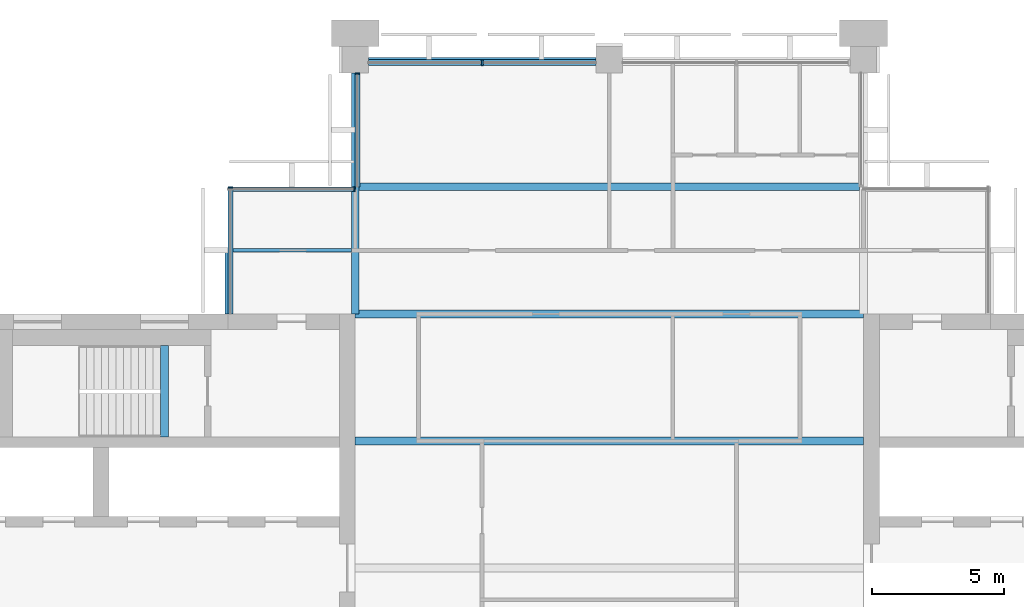
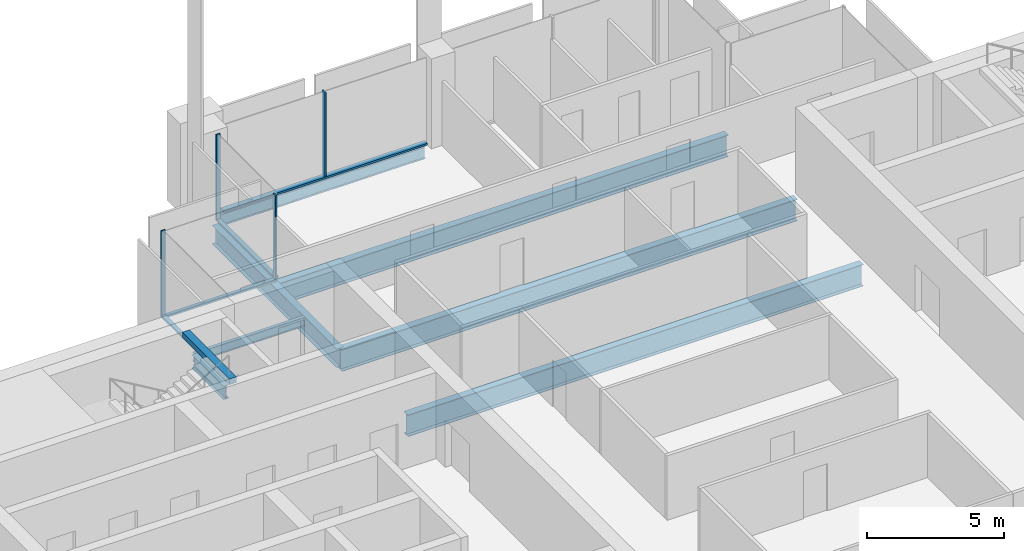
# One storey, part 5 of 13: 8 beams, 8 members, 4 elements without a shape of their own.
"""IFC4 building model written with IfcOpenShell, lengths in metres."""

from ifc_helpers import new_model, si_unit, direction, frame, origin, origin_2d, place, context, subcontext, project, spatial, rectangle, i_section, extrude, material, material_profile, profile_set, type_object, element, aggregate, save


model = new_model("IFC4")

# Units and contexts
model_context = context("Model", 3, precision=1e-05, world=origin(), true_north=direction((0.0, 1.0)))
body_context = subcontext(model_context, "Body", "Model", "MODEL_VIEW")
ifc_project = project(units=[si_unit("LENGTHUNIT", "METRE"), si_unit("AREAUNIT", "SQUARE_METRE"), si_unit("VOLUMEUNIT", "CUBIC_METRE"), si_unit("PLANEANGLEUNIT", "RADIAN"), si_unit("MASSUNIT", "GRAM", prefix="KILO")], contexts=[model_context])

# Site, building, storey
site_placement = place(None, origin())
site = spatial("IfcSite", under=ifc_project, at=site_placement, CompositionType="ELEMENT")
building_placement = place(site_placement, origin())
building = spatial("IfcBuilding", under=site, at=building_placement, Name="Baori Bourse Tower", CompositionType="ELEMENT")
storey_placement = place(building_placement, frame((0.0, 0.0, 318.300048828125)))
storey = spatial("IfcBuildingStorey", under=building, at=storey_placement, Name="L70", CompositionType="ELEMENT", Elevation=318.300048828125)

# Curtain wall, member
ifc_material_1 = material(Name="Pale anodised aluminium", Category="aluminium")
curtain_wall_type_1 = type_object("IfcCurtainWallType", Name="CW2 Curtain wall", PredefinedType="NOTDEFINED", material=ifc_material_1)
curtain_wall_1_placement = place(storey_placement, origin())
curtain_wall_1 = element("IfcCurtainWall", 1, at=curtain_wall_1_placement, inside=storey, type_object=curtain_wall_type_1, Name="Curtain wall CW2 L70 5", PredefinedType="NOTDEFINED")
ifc_material_2 = material(Name="Pale anodised aluminium", Category="aluminium")
ifc_material_profile_1 = material_profile(ifc_material_2, rectangle(XDim=0.179931640625, YDim=0.054931640625, at=origin_2d()), Name="Mullion 55x180")
ifc_profile_set_1 = profile_set([ifc_material_profile_1], Name="Pale anodised aluminium")
member_type_1 = type_object("IfcMemberType", Name="CW2 Curtain wall mullion", PredefinedType="MULLION", material=ifc_profile_set_1)
member_1_placement = place(storey_placement, frame((19.2900390625, 47.472412109375, 0.070068359375), z_axis=(0.0, 0.0, 1.0), x_axis=(1.0, 0.0, 0.0)))
member_1 = element("IfcMember", 2, at=member_1_placement, type_object=member_type_1, Name="Curtain wall CW2 mullion", PredefinedType="MULLION", context=body_context, shape_type="SweptSolid", body=[
    extrude(rectangle(XDim=0.179931640625, YDim=0.054931640625, at=origin_2d()), origin(), (0.0, 0.0, 1.0), 3.769775390625),
])

curtain_wall_2_placement = place(storey_placement, origin())
curtain_wall_2 = element("IfcCurtainWall", 3, at=curtain_wall_2_placement, inside=storey, type_object=curtain_wall_type_1, Name="Curtain wall CW2 L70 6", PredefinedType="NOTDEFINED")
member_2_placement = place(storey_placement, frame((19.172607421875, 43.110107421875, 0.070068359375), z_axis=(0.0, 0.0, 1.0), x_axis=(0.0, -1.0, 0.0)))
member_2 = element("IfcMember", 4, at=member_2_placement, type_object=member_type_1, Name="Curtain wall CW2 mullion", PredefinedType="MULLION", context=body_context, shape_type="SweptSolid", body=[
    extrude(rectangle(XDim=0.179931640625, YDim=0.054931640625, at=origin_2d()), origin(), (0.0, 0.0, 1.0), 3.769775390625),
])

curtain_wall_3_placement = place(storey_placement, origin())
curtain_wall_3 = element("IfcCurtainWall", 5, at=curtain_wall_3_placement, inside=storey, type_object=curtain_wall_type_1, Name="Curtain wall CW2 L70 7", PredefinedType="NOTDEFINED")
member_3_placement = place(storey_placement, frame((14.489990234375, 43.172607421875, 0.070068359375), z_axis=(0.0, 0.0, 1.0), x_axis=(1.0, 0.0, 0.0)))
member_3 = element("IfcMember", 6, at=member_3_placement, type_object=member_type_1, Name="Curtain wall CW2 mullion", PredefinedType="MULLION", context=body_context, shape_type="SweptSolid", body=[
    extrude(rectangle(XDim=0.179931640625, YDim=0.054931640625, at=origin_2d()), origin(), (0.0, 0.0, 1.0), 3.769775390625),
])

# Member
ifc_material_3 = material(Name="Pale anodised aluminium", Category="aluminium")
ifc_material_profile_2 = material_profile(ifc_material_3, rectangle(XDim=0.179931640625, YDim=0.070068359375, at=origin_2d()), Name="Transom 70x180")
ifc_profile_set_2 = profile_set([ifc_material_profile_2], Name="Pale anodised aluminium")
member_type_2 = type_object("IfcMemberType", Name="CW2 Curtain wall transom", PredefinedType="USERDEFINED", material=ifc_profile_set_2)
member_4_placement = place(storey_placement, frame((19.2900390625, 47.5, 0.034912109375), z_axis=(0.0, -1.0, 0.0), x_axis=(1.0, 0.0, 0.0)))
member_4 = element("IfcMember", 7, at=member_4_placement, type_object=member_type_2, Name="Curtain wall CW2 sill rail", ObjectType="TRANSOM", PredefinedType="USERDEFINED", context=body_context, shape_type="SweptSolid", body=[
    extrude(rectangle(XDim=0.179931640625, YDim=0.070068359375, at=origin_2d()), origin(), (0.0, 0.0, 1.0), 4.300048828125),
])

aggregate(curtain_wall_1, [member_4, member_1])

member_5_placement = place(storey_placement, frame((19.199951171875, 43.110107421875, 0.034912109375), z_axis=(-1.0, 0.0, 0.0), x_axis=(0.0, -1.0, 0.0)))
member_5 = element("IfcMember", 8, at=member_5_placement, type_object=member_type_2, Name="Curtain wall CW2 sill rail", ObjectType="TRANSOM", PredefinedType="USERDEFINED", context=body_context, shape_type="SweptSolid", body=[
    extrude(rectangle(XDim=0.179931640625, YDim=0.070068359375, at=origin_2d()), origin(), (0.0, 0.0, 1.0), 4.800048828125),
])

aggregate(curtain_wall_2, [member_5, member_2])

member_6_placement = place(storey_placement, frame((14.489990234375, 43.199951171875, 0.034912109375), z_axis=(0.0, -1.0, 0.0), x_axis=(1.0, 0.0, 0.0)))
member_6 = element("IfcMember", 9, at=member_6_placement, type_object=member_type_2, Name="Curtain wall CW2 sill rail", ObjectType="TRANSOM", PredefinedType="USERDEFINED", context=body_context, shape_type="SweptSolid", body=[
    extrude(rectangle(XDim=0.179931640625, YDim=0.070068359375, at=origin_2d()), origin(), (0.0, 0.0, 1.0), 4.800048828125),
])

aggregate(curtain_wall_3, [member_6, member_3])

# Curtain wall, members
ifc_material_4 = material(Name="Pale anodised aluminium", Category="aluminium")
curtain_wall_type_2 = type_object("IfcCurtainWallType", Name="CW5 Curtain wall", PredefinedType="NOTDEFINED", material=ifc_material_4)
curtain_wall_4_placement = place(storey_placement, origin())
curtain_wall_4 = element("IfcCurtainWall", 10, at=curtain_wall_4_placement, inside=storey, type_object=curtain_wall_type_2, Name="Curtain wall CW5 L70 4", PredefinedType="NOTDEFINED")
ifc_material_5 = material(Name="Pale anodised aluminium", Category="aluminium")
ifc_material_profile_3 = material_profile(ifc_material_5, rectangle(XDim=0.219970703125, YDim=0.06494140625, at=origin_2d()), Name="Mullion 65x220")
ifc_profile_set_3 = profile_set([ifc_material_profile_3], Name="Pale anodised aluminium")
member_type_3 = type_object("IfcMemberType", Name="CW5 Curtain wall mullion", PredefinedType="MULLION", material=ifc_profile_set_3)
member_7_placement = place(storey_placement, frame((24.0, 47.889892578125, 0.0849609375), z_axis=(0.0, 0.0, 1.0), x_axis=(0.0, -1.0, 0.0)))
member_7 = element("IfcMember", 11, at=member_7_placement, type_object=member_type_3, Name="Curtain wall CW5 mullion", PredefinedType="MULLION", context=body_context, shape_type="SweptSolid", body=[
    extrude(rectangle(XDim=0.219970703125, YDim=0.06494140625, at=origin_2d()), origin(), (0.0, 0.0, 1.0), 3.7548828125),
])
ifc_material_6 = material(Name="Pale anodised aluminium", Category="aluminium")
ifc_material_profile_4 = material_profile(ifc_material_6, rectangle(XDim=0.219970703125, YDim=0.0849609375, at=origin_2d()), Name="Transom 85x220")
ifc_profile_set_4 = profile_set([ifc_material_profile_4], Name="Pale anodised aluminium")
member_type_4 = type_object("IfcMemberType", Name="CW5 Curtain wall transom", PredefinedType="USERDEFINED", material=ifc_profile_set_4)
member_8_placement = place(storey_placement, frame((28.300048828125, 47.889892578125, 0.04248046875), z_axis=(-1.0, 0.0, 0.0), x_axis=(0.0, -1.0, 0.0)))
member_8 = element("IfcMember", 12, at=member_8_placement, type_object=member_type_4, Name="Curtain wall CW5 sill rail", ObjectType="TRANSOM", PredefinedType="USERDEFINED", context=body_context, shape_type="SweptSolid", body=[
    extrude(rectangle(XDim=0.219970703125, YDim=0.0849609375, at=origin_2d()), origin(), (0.0, 0.0, 1.0), 8.60009765625),
])
aggregate(curtain_wall_4, [member_8, member_7])

# Beams
ifc_material_7 = material(Name="Steel A992 Gr 50", Category="steel")
ifc_material_profile_5 = material_profile(ifc_material_7, i_section(OverallWidth=0.227783203125, OverallDepth=0.60205078125, WebThickness=0.010498046875, FlangeThickness=0.014892578125, at=origin_2d()), Name="W24x68")
ifc_profile_set_5 = profile_set([ifc_material_profile_5], Name="Steel A992 Gr 50")
beam_type_1 = type_object("IfcBeamType", Name="Core bracket W24x68", PredefinedType="BEAM", material=ifc_profile_set_5)
beam_1_placement = place(storey_placement, frame((14.39990234375, 38.39990234375, -0.4609375), z_axis=(0.0, 1.0, 0.0), x_axis=(-1.0, 0.0, 0.0)))
element("IfcBeam", 13, at=beam_1_placement, inside=storey, type_object=beam_type_1, Name="Core bracket L70", PredefinedType="BEAM", context=body_context, shape_type="SweptSolid", body=[
    extrude(i_section(OverallWidth=0.227783203125, OverallDepth=0.60205078125, WebThickness=0.010498046875, FlangeThickness=0.014892578125, at=origin_2d()), origin(), (0.0, 0.0, 1.0), 2.329833984375),
])
ifc_material_8 = material(Name="Steel A992 Gr 50", Category="steel")
ifc_material_profile_6 = material_profile(ifc_material_8, i_section(OverallWidth=0.1650390625, OverallDepth=0.52587890625, WebThickness=0.0087890625, FlangeThickness=0.011474609375, at=origin_2d()), Name="W21x44")
ifc_profile_set_6 = profile_set([ifc_material_profile_6], Name="Steel A992 Gr 50")
beam_type_2 = type_object("IfcBeamType", Name="Edge beam W21x44", PredefinedType="BEAM", material=ifc_profile_set_6)
beam_2_placement = place(storey_placement, frame((19.699951171875, 48.0, -0.4228515625), z_axis=(1.0, 0.0, 0.0), x_axis=(0.0, 1.0, 0.0)))
element("IfcBeam", 14, at=beam_2_placement, inside=storey, type_object=beam_type_2, Name="Edge beam L70", PredefinedType="BEAM", context=body_context, shape_type="SweptSolid", body=[
    extrude(i_section(OverallWidth=0.1650390625, OverallDepth=0.52587890625, WebThickness=0.0087890625, FlangeThickness=0.011474609375, at=origin_2d()), origin(), (0.0, 0.0, 1.0), 8.60009765625),
])
ifc_material_9 = material(Name="Steel A992 Gr 50", Category="steel")
ifc_material_profile_7 = material_profile(ifc_material_9, i_section(OverallWidth=0.2998046875, OverallDepth=0.97021484375, WebThickness=0.01611328125, FlangeThickness=0.02099609375, at=origin_2d()), Name="W40x149")
ifc_profile_set_7 = profile_set([ifc_material_profile_7], Name="Steel A992 Gr 50")
beam_type_3 = type_object("IfcBeamType", Name="Floor beam W40x149", PredefinedType="BEAM", material=ifc_profile_set_7)
for number, where, z_axis, x_axis, name in (
    (15, (19.199951171875, 33.60009765625, -0.645263671875), (1.0, 0.0, 0.0), (0.0, 1.0, 0.0), "Floor beam L70"),
    (16, (19.199951171875, 38.39990234375, -0.645263671875), (1.0, 0.0, 0.0), (0.0, 1.0, 0.0), "Floor beam L70"),
):
    element("IfcBeam", number, at=place(storey_placement, frame(where, z_axis=z_axis, x_axis=x_axis)), inside=storey, type_object=beam_type_3, Name=name, PredefinedType="BEAM", context=body_context, shape_type="SweptSolid", body=[
        extrude(i_section(OverallWidth=0.2998046875, OverallDepth=0.97021484375, WebThickness=0.01611328125, FlangeThickness=0.02099609375, at=origin_2d()), origin(), (0.0, 0.0, 1.0), 19.199951171875),
    ])
beam_3_placement = place(storey_placement, frame((19.345947265625, 43.199951171875, -0.645263671875), z_axis=(1.0, 0.0, 0.0), x_axis=(0.0, 1.0, 0.0)))
element("IfcBeam", 17, at=beam_3_placement, inside=storey, type_object=beam_type_3, Name="Floor beam L70", PredefinedType="BEAM", context=body_context, shape_type="SweptSolid", body=[
    extrude(i_section(OverallWidth=0.2998046875, OverallDepth=0.97021484375, WebThickness=0.01611328125, FlangeThickness=0.02099609375, at=origin_2d()), origin(), (0.0, 0.0, 1.0), 18.907958984375),
])
ifc_material_10 = material(Name="Steel A992 Gr 50", Category="steel")
ifc_material_profile_8 = material_profile(ifc_material_10, i_section(OverallWidth=0.2919921875, OverallDepth=0.835693359375, WebThickness=0.013916015625, FlangeThickness=0.018798828125, at=origin_2d()), Name="W33x118")
ifc_profile_set_8 = profile_set([ifc_material_profile_8], Name="Steel A992 Gr 50")
beam_type_4 = type_object("IfcBeamType", Name="Girder W33x118", PredefinedType="BEAM", material=ifc_profile_set_8)
beam_4_placement = place(storey_placement, frame((19.199951171875, 38.39990234375, -0.577880859375), z_axis=(0.0, 1.0, 0.0), x_axis=(-1.0, 0.0, 0.0)))
element("IfcBeam", 18, at=beam_4_placement, inside=storey, type_object=beam_type_4, Name="Girder L70", PredefinedType="BEAM", context=body_context, shape_type="SweptSolid", body=[
    extrude(i_section(OverallWidth=0.2919921875, OverallDepth=0.835693359375, WebThickness=0.013916015625, FlangeThickness=0.018798828125, at=origin_2d()), origin(), (0.0, 0.0, 1.0), 9.10009765625),
])
ifc_material_11 = material(Name="Concrete f'c 50 MPa", Category="concrete")
ifc_material_profile_9 = material_profile(ifc_material_11, rectangle(XDim=0.300048828125, YDim=0.25, at=origin_2d()), Name="RC 300x250")
ifc_profile_set_9 = profile_set([ifc_material_profile_9], Name="Concrete f'c 50 MPa")
beam_type_5 = type_object("IfcBeamType", Name="Stair nib beam RC 300x250", PredefinedType="BEAM", material=ifc_profile_set_9)
beam_5_placement = place(storey_placement, frame((12.0, 33.75, 3.71484375), z_axis=(0.0, 1.0, 0.0), x_axis=(-1.0, 0.0, 0.0)))
element("IfcBeam", 19, at=beam_5_placement, inside=storey, type_object=beam_type_5, Name="Stair WB nib beam L71", PredefinedType="BEAM", context=body_context, shape_type="SweptSolid", body=[
    extrude(rectangle(XDim=0.300048828125, YDim=0.25, at=origin_2d()), origin(), (0.0, 0.0, 1.0), 3.449951171875),
])
ifc_material_12 = material(Name="Steel A992 Gr 50", Category="steel")
ifc_material_profile_10 = material_profile(ifc_material_12, i_section(OverallWidth=0.140380859375, OverallDepth=0.40380859375, WebThickness=0.007080078125, FlangeThickness=0.01123046875, at=origin_2d()), Name="W16x31")
ifc_profile_set_10 = profile_set([ifc_material_profile_10], Name="Steel A992 Gr 50")
beam_type_6 = type_object("IfcBeamType", Name="Trimmer beam W16x31", PredefinedType="BEAM", material=ifc_profile_set_10)
beam_6_placement = place(storey_placement, frame((14.39990234375, 40.800048828125, -0.362060546875), z_axis=(1.0, 0.0, 0.0), x_axis=(0.0, 1.0, 0.0)))
element("IfcBeam", 20, at=beam_6_placement, inside=storey, type_object=beam_type_6, Name="Trimmer beam L70", PredefinedType="BEAM", context=body_context, shape_type="SweptSolid", body=[
    extrude(i_section(OverallWidth=0.140380859375, OverallDepth=0.40380859375, WebThickness=0.007080078125, FlangeThickness=0.01123046875, at=origin_2d()), origin(), (0.0, 0.0, 1.0), 4.654052734375),
])

save(model, "model.ifc")
